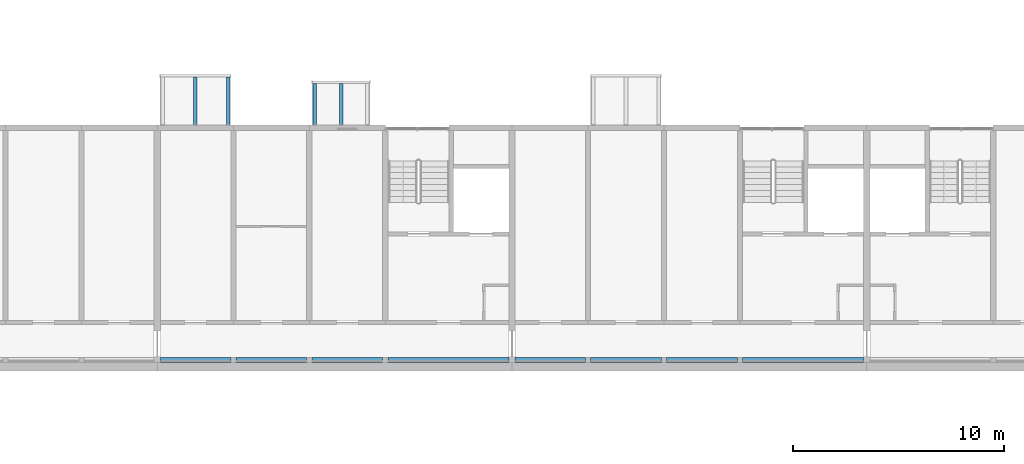
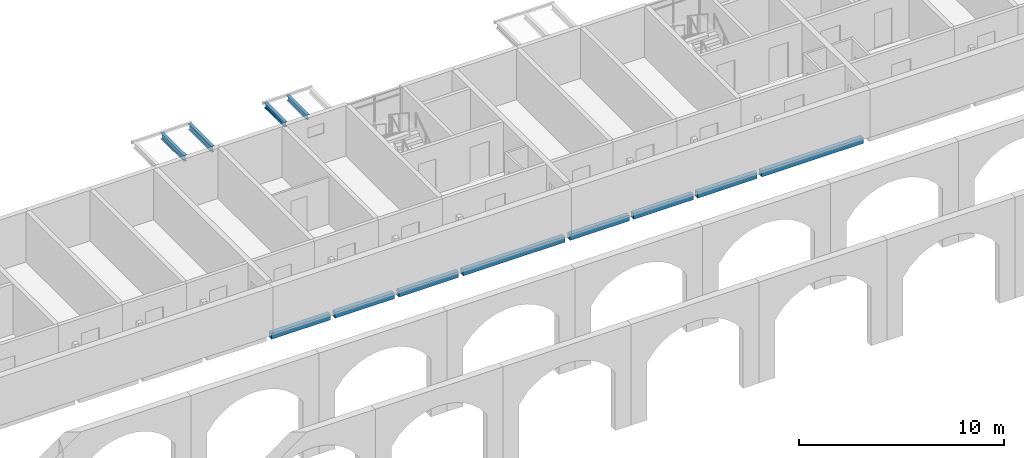
# One storey, part 12 of 122: 12 beams.
"""IFC4 building model written with IfcOpenShell, lengths in metres."""

from ifc_helpers import new_model, si_unit, direction, frame, origin, origin_2d, place, context, subcontext, project, spatial, rectangle, i_section, extrude, material, material_profile, profile_set, type_object, element, save


model = new_model("IFC4")

# Units and contexts
model_context = context("Model", 3, precision=1e-05, world=origin(), true_north=direction((0.0, 1.0)))
body_context = subcontext(model_context, "Body", "Model", "MODEL_VIEW")
ifc_project = project(units=[si_unit("LENGTHUNIT", "METRE"), si_unit("AREAUNIT", "SQUARE_METRE"), si_unit("VOLUMEUNIT", "CUBIC_METRE"), si_unit("PLANEANGLEUNIT", "RADIAN"), si_unit("MASSUNIT", "GRAM", prefix="KILO")], contexts=[model_context])

# Site, building, storey
site_placement = place(None, origin())
site = spatial("IfcSite", under=ifc_project, at=site_placement, CompositionType="ELEMENT")
building_placement = place(site_placement, origin())
building = spatial("IfcBuilding", under=site, at=building_placement, Name="Ridgestep Commons", CompositionType="ELEMENT")
storey_placement = place(building_placement, frame((0.0, 0.0, 3.0)))
storey = spatial("IfcBuildingStorey", under=building, at=storey_placement, Name="L01", CompositionType="ELEMENT", Elevation=3.0)

# Beams
ifc_material_1 = material(Name="Precast concrete C40/50", Category="concrete")
ifc_material_profile_1 = material_profile(ifc_material_1, rectangle(XDim=0.25, YDim=0.35009765625, at=origin_2d()), Name="PC 250x350")
ifc_profile_set_1 = profile_set([ifc_material_profile_1], Name="Precast concrete C40/50")
beam_type_1 = type_object("IfcBeamType", Name="Loggia edge beam 250 x 350", PredefinedType="SPANDREL", material=ifc_profile_set_1)
beam_1_placement = place(storey_placement, frame((62.550048828125, 11.875, -0.375), z_axis=(1.0, 0.0, 0.0), x_axis=(0.0, 1.0, 0.0)))
element("IfcBeam", 1, at=beam_1_placement, inside=storey, type_object=beam_type_1, Name="Loggia edge beam A4T1 L01", PredefinedType="SPANDREL", context=body_context, shape_type="SweptSolid", body=[
    extrude(rectangle(XDim=0.25, YDim=0.35009765625, at=origin_2d()), origin(), (0.0, 0.0, 1.0), 3.324951171875),
])
beam_2_placement = place(storey_placement, frame((66.125, 11.875, -0.375), z_axis=(1.0, 0.0, 0.0), x_axis=(0.0, 1.0, 0.0)))
element("IfcBeam", 2, at=beam_2_placement, inside=storey, type_object=beam_type_1, Name="Loggia edge beam A4T2 L01", PredefinedType="SPANDREL", context=body_context, shape_type="SweptSolid", body=[
    extrude(rectangle(XDim=0.25, YDim=0.35009765625, at=origin_2d()), origin(), (0.0, 0.0, 1.0), 3.35009765625),
])
beam_3_placement = place(storey_placement, frame((69.72509765625, 11.875, -0.375), z_axis=(1.0, 0.0, 0.0), x_axis=(0.0, 1.0, 0.0)))
element("IfcBeam", 3, at=beam_3_placement, inside=storey, type_object=beam_type_1, Name="Loggia edge beam A4T3 L01", PredefinedType="SPANDREL", context=body_context, shape_type="SweptSolid", body=[
    extrude(rectangle(XDim=0.25, YDim=0.35009765625, at=origin_2d()), origin(), (0.0, 0.0, 1.0), 3.349853515625),
])
beam_4_placement = place(storey_placement, frame((73.324951171875, 11.875, -0.375), z_axis=(1.0, 0.0, 0.0), x_axis=(0.0, 1.0, 0.0)))
element("IfcBeam", 4, at=beam_4_placement, inside=storey, type_object=beam_type_1, Name="Loggia edge beam A4C L01", PredefinedType="SPANDREL", context=body_context, shape_type="SweptSolid", body=[
    extrude(rectangle(XDim=0.25, YDim=0.35009765625, at=origin_2d()), origin(), (0.0, 0.0, 1.0), 5.72509765625),
])
beam_5_placement = place(storey_placement, frame((79.35009765625, 11.875, -0.375), z_axis=(1.0, 0.0, 0.0), x_axis=(0.0, 1.0, 0.0)))
element("IfcBeam", 5, at=beam_5_placement, inside=storey, type_object=beam_type_1, Name="Loggia edge beam A5T1 L01", PredefinedType="SPANDREL", context=body_context, shape_type="SweptSolid", body=[
    extrude(rectangle(XDim=0.25, YDim=0.35009765625, at=origin_2d()), origin(), (0.0, 0.0, 1.0), 3.324951171875),
])
beam_6_placement = place(storey_placement, frame((82.925048828125, 11.875, -0.375), z_axis=(1.0, 0.0, 0.0), x_axis=(0.0, 1.0, 0.0)))
element("IfcBeam", 6, at=beam_6_placement, inside=storey, type_object=beam_type_1, Name="Loggia edge beam A5T2 L01", PredefinedType="SPANDREL", context=body_context, shape_type="SweptSolid", body=[
    extrude(rectangle(XDim=0.25, YDim=0.35009765625, at=origin_2d()), origin(), (0.0, 0.0, 1.0), 3.349853515625),
])
beam_7_placement = place(storey_placement, frame((86.52490234375, 11.875, -0.375), z_axis=(1.0, 0.0, 0.0), x_axis=(0.0, 1.0, 0.0)))
element("IfcBeam", 7, at=beam_7_placement, inside=storey, type_object=beam_type_1, Name="Loggia edge beam A5T3 L01", PredefinedType="SPANDREL", context=body_context, shape_type="SweptSolid", body=[
    extrude(rectangle(XDim=0.25, YDim=0.35009765625, at=origin_2d()), origin(), (0.0, 0.0, 1.0), 3.35009765625),
])
beam_8_placement = place(storey_placement, frame((90.125, 11.875, -0.375), z_axis=(1.0, 0.0, 0.0), x_axis=(0.0, 1.0, 0.0)))
element("IfcBeam", 8, at=beam_8_placement, inside=storey, type_object=beam_type_1, Name="Loggia edge beam A5C L01", PredefinedType="SPANDREL", context=body_context, shape_type="SweptSolid", body=[
    extrude(rectangle(XDim=0.25, YDim=0.35009765625, at=origin_2d()), origin(), (0.0, 0.0, 1.0), 5.72509765625),
])
ifc_material_2 = material(Name="Weathering steel S355J2W", Category="steel")
ifc_material_profile_2 = material_profile(ifc_material_2, i_section(OverallWidth=0.1650390625, OverallDepth=0.303466796875, WebThickness=0.006103515625, FlangeThickness=0.01025390625, FilletRadius=0.0087890625, at=origin_2d()), Name="UB 305x165x40")
ifc_profile_set_2 = profile_set([ifc_material_profile_2], Name="Weathering steel S355J2W")
beam_type_2 = type_object("IfcBeamType", Name="Tray arm UB 305x165x40", PredefinedType="BEAM", material=ifc_profile_set_2)
for number, where, z_axis, x_axis, name in (
    (9, (69.85009765625, 23.014892578125, 2.83837890625), (0.0, 1.0, 0.0), (-1.0, 0.0, 0.0), "Tray arm A4T3-02.1"),
    (10, (71.10009765625, 23.014892578125, 2.83837890625), (0.0, 1.0, 0.0), (-1.0, 0.0, 0.0), "Tray arm A4T3-02.2"),
):
    element("IfcBeam", number, at=place(storey_placement, frame(where, z_axis=z_axis, x_axis=x_axis)), inside=storey, type_object=beam_type_2, Name=name, PredefinedType="BEAM", context=body_context, shape_type="SweptSolid", body=[
        extrude(i_section(OverallWidth=0.1650390625, OverallDepth=0.303466796875, WebThickness=0.006103515625, FlangeThickness=0.01025390625, FilletRadius=0.0087890625, at=origin_2d()), origin(), (0.0, 0.0, 1.0), 1.965087890625),
    ])
ifc_material_3 = material(Name="Weathering steel S355J2W", Category="steel")
ifc_material_profile_3 = material_profile(ifc_material_3, i_section(OverallWidth=0.171142578125, OverallDepth=0.351318359375, WebThickness=0.007080078125, FlangeThickness=0.009765625, FilletRadius=0.01025390625, at=origin_2d()), Name="UB 356x171x45")
ifc_profile_set_3 = profile_set([ifc_material_profile_3], Name="Weathering steel S355J2W")
beam_type_3 = type_object("IfcBeamType", Name="Tray arm UB 356x171x45", PredefinedType="BEAM", material=ifc_profile_set_3)
for number, where, z_axis, x_axis, name in (
    (11, (64.199951171875, 23.014892578125, 2.814208984375), (0.0, 1.0, 0.0), (-1.0, 0.0, 0.0), "Tray arm A4T1-02.2"),
    (12, (65.75, 23.014892578125, 2.814208984375), (0.0, 1.0, 0.0), (-1.0, 0.0, 0.0), "Tray arm A4T1-02.3"),
):
    element("IfcBeam", number, at=place(storey_placement, frame(where, z_axis=z_axis, x_axis=x_axis)), inside=storey, type_object=beam_type_3, Name=name, PredefinedType="BEAM", context=body_context, shape_type="SweptSolid", body=[
        extrude(i_section(OverallWidth=0.171142578125, OverallDepth=0.351318359375, WebThickness=0.007080078125, FlangeThickness=0.009765625, FilletRadius=0.01025390625, at=origin_2d()), origin(), (0.0, 0.0, 1.0), 2.26513671875),
    ])

save(model, "model.ifc")
